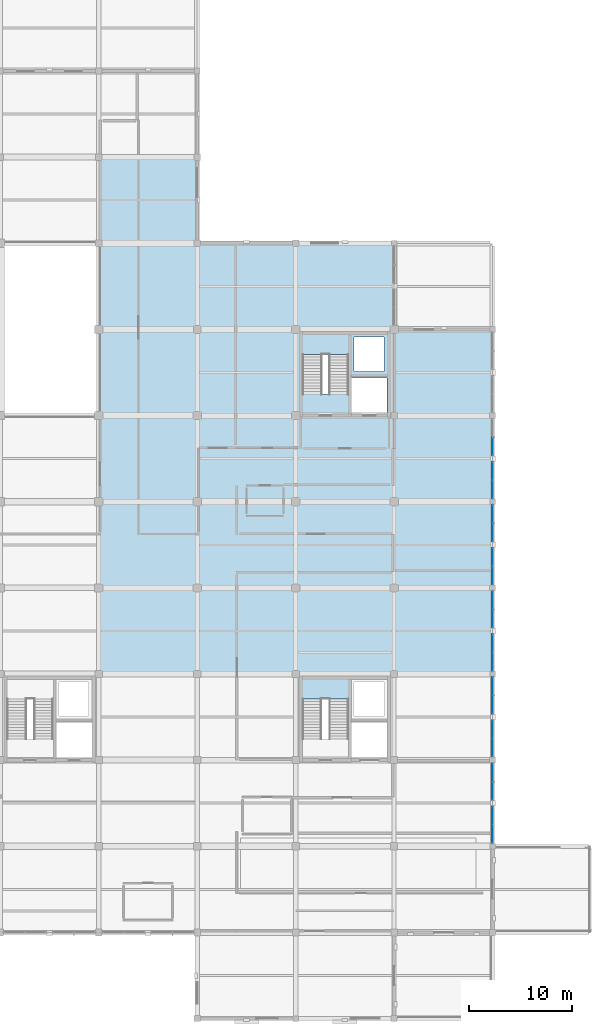
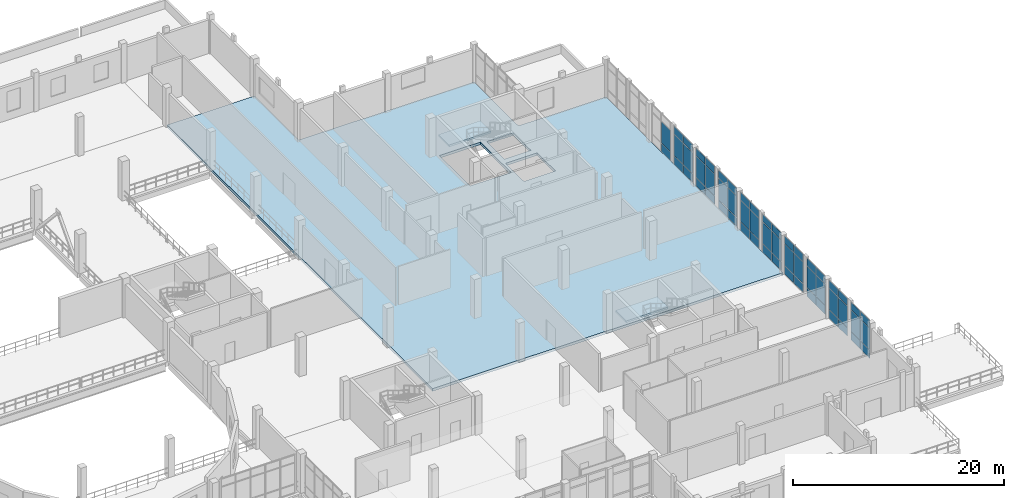
# One storey, part 84 of 102: 56 plates, 3 slabs, 12 elements without a shape of their own.
"""IFC4 building model written with IfcOpenShell, lengths in metres."""

from ifc_helpers import new_model, si_unit, direction, frame, origin, origin_2d, place, context, subcontext, project, spatial, polyline, rectangle, outline, extrude, material, layer, layer_set, type_object, element, aggregate, save


model = new_model("IFC4")

# Units and contexts
model_context = context("Model", 3, precision=1e-05, world=origin(), true_north=direction((0.0, 1.0)))
body_context = subcontext(model_context, "Body", "Model", "MODEL_VIEW")
ifc_project = project(units=[si_unit("LENGTHUNIT", "METRE"), si_unit("AREAUNIT", "SQUARE_METRE"), si_unit("VOLUMEUNIT", "CUBIC_METRE"), si_unit("PLANEANGLEUNIT", "RADIAN"), si_unit("MASSUNIT", "GRAM", prefix="KILO")], contexts=[model_context])

# Site, building, storey
site_placement = place(None, origin())
site = spatial("IfcSite", under=ifc_project, at=site_placement, CompositionType="ELEMENT")
building_placement = place(site_placement, origin())
building = spatial("IfcBuilding", under=site, at=building_placement, Name="Lornevale Opera House", CompositionType="ELEMENT")
storey_placement = place(building_placement, frame((0.0, 0.0, 5.39990234375)))
storey = spatial("IfcBuildingStorey", under=building, at=storey_placement, Name="L02", CompositionType="ELEMENT", Elevation=5.39990234375)

# Slab
ifc_material_1 = material(Name="Concrete 35 MPa (CSA A23.1 N)", Category="concrete")
ifc_layer_1 = layer(ifc_material_1, 0.300048828125)
ifc_layer_set_1 = layer_set([ifc_layer_1], Name="Concrete 35 MPa (CSA A23.1 N)")
slab_type_1 = type_object("IfcSlabType", Name="Parterre Gallery Floor Slab 300", PredefinedType="FLOOR", material=ifc_layer_set_1)
slab_1_placement = place(storey_placement, frame((0.0, 0.0, -0.2998046875)))
element("IfcSlab", 1, at=slab_1_placement, inside=storey, type_object=slab_type_1, Name="Parterre Gallery Floor Slab 300 SL-039", PredefinedType="FLOOR", context=body_context, shape_type="SweptSolid", body=[
    extrude(outline(polyline([(115.199951171875, 58.800048828125), (115.199951171875, 67.199951171875), (115.199951171875, 75.60009765625), (115.199951171875, 84.0), (115.199951171875, 92.39990234375), (124.800048828125, 92.39990234375), (124.800048828125, 84.0), (134.39990234375, 84.0), (144.0, 84.0), (144.0, 75.60009765625), (153.60009765625, 75.60009765625), (153.60009765625, 67.199951171875), (153.60009765625, 58.800048828125), (153.60009765625, 50.39990234375), (153.60009765625, 42.0), (144.0, 42.0), (134.39990234375, 42.0), (124.800048828125, 42.0), (115.199951171875, 42.0), (115.199951171875, 50.39990234375), (115.199951171875, 58.800048828125)]), holes=[polyline([(139.860107421875, 67.3798828125), (143.320068359375, 67.3798828125), (143.320068359375, 70.840087890625), (139.860107421875, 70.840087890625), (139.860107421875, 67.3798828125)]), polyline([(135.06005859375, 69.280029296875), (139.5400390625, 69.280029296875), (139.5400390625, 75.080078125), (135.06005859375, 75.080078125), (135.06005859375, 69.280029296875)]), polyline([(140.10009765625, 71.5), (143.0, 71.5), (143.0, 74.840087890625), (140.10009765625, 74.840087890625), (140.10009765625, 71.5)])]), origin(), (0.0, 0.0, 1.0), 0.2998046875),
])

# Stair, slab
ifc_layer_2 = layer(ifc_material_1, 4.800048828125)
ifc_layer_set_2 = layer_set([ifc_layer_2], Name="Concrete 35 MPa (CSA A23.1 N)")
stair_type_1 = type_object("IfcStairType", Name="Firefighter Core Stair 4800-W1880", PredefinedType="TWO_STRAIGHT_RUN_STAIR", material=ifc_layer_set_2)
stair_1_placement = place(storey_placement, origin())
stair_1 = element("IfcStair", 2, at=stair_1_placement, inside=storey, type_object=stair_type_1, Name="Backstage Firefighter Core East Stair ST-31 (L02-L03)", PredefinedType="TWO_STRAIGHT_RUN_STAIR")
ifc_layer_3 = layer(ifc_material_1, 0.219970703125)
ifc_layer_set_3 = layer_set([ifc_layer_3], Name="Concrete 35 MPa (CSA A23.1 N)")
slab_type_2 = type_object("IfcSlabType", Name="Stair Half-Landing Slab 220", PredefinedType="LANDING", material=ifc_layer_set_3)
slab_2_placement = place(storey_placement, frame((0.0, 0.0, 2.18017578125)))
slab_2 = element("IfcSlab", 3, at=slab_2_placement, type_object=slab_type_2, Name="ST-31 Half-Landing SL-LND-031", PredefinedType="LANDING", context=body_context, shape_type="SweptSolid", body=[
    extrude(outline(polyline([(135.0, 73.159912109375), (139.60009765625, 73.159912109375), (139.60009765625, 75.179931640625), (135.0, 75.179931640625), (135.0, 73.159912109375)])), origin(), (0.0, 0.0, 1.0), 0.219970703125),
])
aggregate(stair_1, [slab_2])

ifc_layer_4 = layer(ifc_material_1, 4.800048828125)
ifc_layer_set_4 = layer_set([ifc_layer_4], Name="Concrete 35 MPa (CSA A23.1 N)")
stair_type_2 = type_object("IfcStairType", Name="Protected Exit Stair 4800-W1840", PredefinedType="TWO_STRAIGHT_RUN_STAIR", material=ifc_layer_set_4)
stair_2_placement = place(storey_placement, origin())
stair_2 = element("IfcStair", 4, at=stair_2_placement, inside=storey, type_object=stair_type_2, Name="Backstage Service Lift Core Stair ST-38 (L02-L03)", PredefinedType="TWO_STRAIGHT_RUN_STAIR")
slab_3_placement = place(storey_placement, frame((0.0, 0.0, 2.18017578125)))
slab_3 = element("IfcSlab", 5, at=slab_3_placement, type_object=slab_type_2, Name="ST-38 Half-Landing SL-LND-038", PredefinedType="LANDING", context=body_context, shape_type="SweptSolid", body=[
    extrude(outline(polyline([(135.0, 39.56005859375), (139.60009765625, 39.56005859375), (139.60009765625, 41.580078125), (135.0, 41.580078125), (135.0, 39.56005859375)])), origin(), (0.0, 0.0, 1.0), 0.219970703125),
])
aggregate(stair_2, [slab_3])

# Curtain wall, plates
ifc_material_2 = material(Name="Anodized Oxide-Green Aluminium Framing", Category="aluminium")
ifc_layer_5 = layer(ifc_material_2, 0.179931640625)
ifc_layer_set_5 = layer_set([ifc_layer_5], Name="Anodized Oxide-Green Aluminium Framing")
curtain_wall_type = type_object("IfcCurtainWallType", Name="Promenade Gallery Curtain Wall M1800", PredefinedType="NOTDEFINED", material=ifc_layer_set_5)
curtain_wall_1_placement = place(storey_placement, origin())
curtain_wall_1 = element("IfcCurtainWall", 6, at=curtain_wall_1_placement, inside=storey, type_object=curtain_wall_type, Name="Promenade Gallery Curtain Wall M1800 CW-080", PredefinedType="NOTDEFINED")
ifc_material_3 = material(Name="Triple Low-E Insulated Glazing", Category="glass")
ifc_layer_6 = layer(ifc_material_3, 0.0380859375)
ifc_layer_set_6 = layer_set([ifc_layer_6], Name="Triple Low-E Insulated Glazing")
plate_type = type_object("IfcPlateType", Name="Triple Low-E Vision Panel 38", PredefinedType="CURTAIN_PANEL", material=ifc_layer_set_6)
plate_1_placement = place(storey_placement, frame((153.60009765625, 32.3818359375, 0.0654296875), z_axis=(0.0, 0.0, 1.0), x_axis=(0.0, -1.0, 0.0)))
plate_1 = element("IfcPlate", 7, at=plate_1_placement, type_object=plate_type, Name="Triple Low-E Vision Panel 38 CW1623", PredefinedType="CURTAIN_PANEL", context=body_context, shape_type="SweptSolid", body=[
    extrude(rectangle(XDim=1.714599609375, YDim=0.0380859375, at=origin_2d()), origin(), (0.0, 0.0, 1.0), 0.952392578125),
])
plate_2_placement = place(storey_placement, frame((153.60009765625, 32.3818359375, 1.08251953125), z_axis=(0.0, 0.0, 1.0), x_axis=(0.0, -1.0, 0.0)))
plate_2 = element("IfcPlate", 8, at=plate_2_placement, type_object=plate_type, Name="Triple Low-E Vision Panel 38 CW1624", PredefinedType="CURTAIN_PANEL", context=body_context, shape_type="SweptSolid", body=[
    extrude(rectangle(XDim=1.714599609375, YDim=0.0380859375, at=origin_2d()), origin(), (0.0, 0.0, 1.0), 2.455078125),
])
plate_3_placement = place(storey_placement, frame((153.60009765625, 32.3818359375, 3.6025390625), z_axis=(0.0, 0.0, 1.0), x_axis=(0.0, -1.0, 0.0)))
plate_3 = element("IfcPlate", 9, at=plate_3_placement, type_object=plate_type, Name="Triple Low-E Vision Panel 38 CW1625", PredefinedType="CURTAIN_PANEL", context=body_context, shape_type="SweptSolid", body=[
    extrude(rectangle(XDim=1.714599609375, YDim=0.0380859375, at=origin_2d()), origin(), (0.0, 0.0, 1.0), 0.8525390625),
])
plate_4_placement = place(storey_placement, frame((153.60009765625, 30.602294921875, 0.0654296875), z_axis=(0.0, 0.0, 1.0), x_axis=(0.0, -1.0, 0.0)))
plate_4 = element("IfcPlate", 10, at=plate_4_placement, type_object=plate_type, Name="Triple Low-E Vision Panel 38 CW1630", PredefinedType="CURTAIN_PANEL", context=body_context, shape_type="SweptSolid", body=[
    extrude(rectangle(XDim=1.714599609375, YDim=0.0380859375, at=origin_2d()), origin(), (0.0, 0.0, 1.0), 0.952392578125),
])
plate_5_placement = place(storey_placement, frame((153.60009765625, 30.602294921875, 1.08251953125), z_axis=(0.0, 0.0, 1.0), x_axis=(0.0, -1.0, 0.0)))
plate_5 = element("IfcPlate", 11, at=plate_5_placement, type_object=plate_type, Name="Triple Low-E Vision Panel 38 CW1631", PredefinedType="CURTAIN_PANEL", context=body_context, shape_type="SweptSolid", body=[
    extrude(rectangle(XDim=1.714599609375, YDim=0.0380859375, at=origin_2d()), origin(), (0.0, 0.0, 1.0), 2.455078125),
])
plate_6_placement = place(storey_placement, frame((153.60009765625, 30.602294921875, 3.6025390625), z_axis=(0.0, 0.0, 1.0), x_axis=(0.0, -1.0, 0.0)))
plate_6 = element("IfcPlate", 12, at=plate_6_placement, type_object=plate_type, Name="Triple Low-E Vision Panel 38 CW1632", PredefinedType="CURTAIN_PANEL", context=body_context, shape_type="SweptSolid", body=[
    extrude(rectangle(XDim=1.714599609375, YDim=0.0380859375, at=origin_2d()), origin(), (0.0, 0.0, 1.0), 0.8525390625),
])
aggregate(curtain_wall_1, [plate_1, plate_2, plate_3, plate_4, plate_5, plate_6])

curtain_wall_2_placement = place(storey_placement, origin())
curtain_wall_2 = element("IfcCurtainWall", 13, at=curtain_wall_2_placement, inside=storey, type_object=curtain_wall_type, Name="Promenade Gallery Curtain Wall M1800 CW-081", PredefinedType="NOTDEFINED")
plate_7_placement = place(storey_placement, frame((153.60009765625, 28.19140625, 0.0654296875), z_axis=(0.0, 0.0, 1.0), x_axis=(0.0, -1.0, 0.0)))
plate_7 = element("IfcPlate", 14, at=plate_7_placement, type_object=plate_type, Name="Triple Low-E Vision Panel 38 CW1640", PredefinedType="CURTAIN_PANEL", context=body_context, shape_type="SweptSolid", body=[
    extrude(rectangle(XDim=1.72705078125, YDim=0.0380859375, at=origin_2d()), origin(), (0.0, 0.0, 1.0), 0.952392578125),
])
plate_8_placement = place(storey_placement, frame((153.60009765625, 28.19140625, 1.08251953125), z_axis=(0.0, 0.0, 1.0), x_axis=(0.0, -1.0, 0.0)))
plate_8 = element("IfcPlate", 15, at=plate_8_placement, type_object=plate_type, Name="Triple Low-E Vision Panel 38 CW1641", PredefinedType="CURTAIN_PANEL", context=body_context, shape_type="SweptSolid", body=[
    extrude(rectangle(XDim=1.72705078125, YDim=0.0380859375, at=origin_2d()), origin(), (0.0, 0.0, 1.0), 2.455078125),
])
plate_9_placement = place(storey_placement, frame((153.60009765625, 28.19140625, 3.6025390625), z_axis=(0.0, 0.0, 1.0), x_axis=(0.0, -1.0, 0.0)))
plate_9 = element("IfcPlate", 16, at=plate_9_placement, type_object=plate_type, Name="Triple Low-E Vision Panel 38 CW1642", PredefinedType="CURTAIN_PANEL", context=body_context, shape_type="SweptSolid", body=[
    extrude(rectangle(XDim=1.72705078125, YDim=0.0380859375, at=origin_2d()), origin(), (0.0, 0.0, 1.0), 0.8525390625),
])
plate_10_placement = place(storey_placement, frame((153.60009765625, 26.3994140625, 0.0654296875), z_axis=(0.0, 0.0, 1.0), x_axis=(0.0, -1.0, 0.0)))
plate_10 = element("IfcPlate", 17, at=plate_10_placement, type_object=plate_type, Name="Triple Low-E Vision Panel 38 CW1647", PredefinedType="CURTAIN_PANEL", context=body_context, shape_type="SweptSolid", body=[
    extrude(rectangle(XDim=1.72705078125, YDim=0.0380859375, at=origin_2d()), origin(), (0.0, 0.0, 1.0), 0.952392578125),
])
plate_11_placement = place(storey_placement, frame((153.60009765625, 26.3994140625, 1.08251953125), z_axis=(0.0, 0.0, 1.0), x_axis=(0.0, -1.0, 0.0)))
plate_11 = element("IfcPlate", 18, at=plate_11_placement, type_object=plate_type, Name="Triple Low-E Vision Panel 38 CW1648", PredefinedType="CURTAIN_PANEL", context=body_context, shape_type="SweptSolid", body=[
    extrude(rectangle(XDim=1.72705078125, YDim=0.0380859375, at=origin_2d()), origin(), (0.0, 0.0, 1.0), 2.455078125),
])
plate_12_placement = place(storey_placement, frame((153.60009765625, 26.3994140625, 3.6025390625), z_axis=(0.0, 0.0, 1.0), x_axis=(0.0, -1.0, 0.0)))
plate_12 = element("IfcPlate", 19, at=plate_12_placement, type_object=plate_type, Name="Triple Low-E Vision Panel 38 CW1649", PredefinedType="CURTAIN_PANEL", context=body_context, shape_type="SweptSolid", body=[
    extrude(rectangle(XDim=1.72705078125, YDim=0.0380859375, at=origin_2d()), origin(), (0.0, 0.0, 1.0), 0.8525390625),
])
aggregate(curtain_wall_2, [plate_7, plate_8, plate_9, plate_10, plate_11, plate_12])

curtain_wall_3_placement = place(storey_placement, origin())
curtain_wall_3 = element("IfcCurtainWall", 20, at=curtain_wall_3_placement, inside=storey, type_object=curtain_wall_type, Name="Promenade Gallery Curtain Wall M1800 CW-082", PredefinedType="NOTDEFINED")
plate_13_placement = place(storey_placement, frame((153.60009765625, 40.800537109375, 0.0654296875), z_axis=(0.0, 0.0, 1.0), x_axis=(0.0, -1.0, 0.0)))
plate_13 = element("IfcPlate", 21, at=plate_13_placement, type_object=plate_type, Name="Triple Low-E Vision Panel 38 CW1657", PredefinedType="CURTAIN_PANEL", context=body_context, shape_type="SweptSolid", body=[
    extrude(rectangle(XDim=1.72705078125, YDim=0.0380859375, at=origin_2d()), origin(), (0.0, 0.0, 1.0), 0.952392578125),
])
plate_14_placement = place(storey_placement, frame((153.60009765625, 40.800537109375, 1.08251953125), z_axis=(0.0, 0.0, 1.0), x_axis=(0.0, -1.0, 0.0)))
plate_14 = element("IfcPlate", 22, at=plate_14_placement, type_object=plate_type, Name="Triple Low-E Vision Panel 38 CW1658", PredefinedType="CURTAIN_PANEL", context=body_context, shape_type="SweptSolid", body=[
    extrude(rectangle(XDim=1.72705078125, YDim=0.0380859375, at=origin_2d()), origin(), (0.0, 0.0, 1.0), 2.455078125),
])
plate_15_placement = place(storey_placement, frame((153.60009765625, 40.800537109375, 3.6025390625), z_axis=(0.0, 0.0, 1.0), x_axis=(0.0, -1.0, 0.0)))
plate_15 = element("IfcPlate", 23, at=plate_15_placement, type_object=plate_type, Name="Triple Low-E Vision Panel 38 CW1659", PredefinedType="CURTAIN_PANEL", context=body_context, shape_type="SweptSolid", body=[
    extrude(rectangle(XDim=1.72705078125, YDim=0.0380859375, at=origin_2d()), origin(), (0.0, 0.0, 1.0), 0.8525390625),
])
plate_16_placement = place(storey_placement, frame((153.60009765625, 39.008544921875, 0.0654296875), z_axis=(0.0, 0.0, 1.0), x_axis=(0.0, -1.0, 0.0)))
plate_16 = element("IfcPlate", 24, at=plate_16_placement, type_object=plate_type, Name="Triple Low-E Vision Panel 38 CW1664", PredefinedType="CURTAIN_PANEL", context=body_context, shape_type="SweptSolid", body=[
    extrude(rectangle(XDim=1.72705078125, YDim=0.0380859375, at=origin_2d()), origin(), (0.0, 0.0, 1.0), 0.952392578125),
])
plate_17_placement = place(storey_placement, frame((153.60009765625, 39.008544921875, 1.08251953125), z_axis=(0.0, 0.0, 1.0), x_axis=(0.0, -1.0, 0.0)))
plate_17 = element("IfcPlate", 25, at=plate_17_placement, type_object=plate_type, Name="Triple Low-E Vision Panel 38 CW1665", PredefinedType="CURTAIN_PANEL", context=body_context, shape_type="SweptSolid", body=[
    extrude(rectangle(XDim=1.72705078125, YDim=0.0380859375, at=origin_2d()), origin(), (0.0, 0.0, 1.0), 2.455078125),
])
plate_18_placement = place(storey_placement, frame((153.60009765625, 39.008544921875, 3.6025390625), z_axis=(0.0, 0.0, 1.0), x_axis=(0.0, -1.0, 0.0)))
plate_18 = element("IfcPlate", 26, at=plate_18_placement, type_object=plate_type, Name="Triple Low-E Vision Panel 38 CW1666", PredefinedType="CURTAIN_PANEL", context=body_context, shape_type="SweptSolid", body=[
    extrude(rectangle(XDim=1.72705078125, YDim=0.0380859375, at=origin_2d()), origin(), (0.0, 0.0, 1.0), 0.8525390625),
])
aggregate(curtain_wall_3, [plate_13, plate_14, plate_15, plate_16, plate_17, plate_18])

curtain_wall_4_placement = place(storey_placement, origin())
curtain_wall_4 = element("IfcCurtainWall", 27, at=curtain_wall_4_placement, inside=storey, type_object=curtain_wall_type, Name="Promenade Gallery Curtain Wall M1800 CW-083", PredefinedType="NOTDEFINED")
plate_19_placement = place(storey_placement, frame((153.60009765625, 36.597900390625, 0.0654296875), z_axis=(0.0, 0.0, 1.0), x_axis=(0.0, -1.0, 0.0)))
plate_19 = element("IfcPlate", 28, at=plate_19_placement, type_object=plate_type, Name="Triple Low-E Vision Panel 38 CW1674", PredefinedType="CURTAIN_PANEL", context=body_context, shape_type="SweptSolid", body=[
    extrude(rectangle(XDim=1.714599609375, YDim=0.0380859375, at=origin_2d()), origin(), (0.0, 0.0, 1.0), 0.952392578125),
])
plate_20_placement = place(storey_placement, frame((153.60009765625, 36.597900390625, 1.08251953125), z_axis=(0.0, 0.0, 1.0), x_axis=(0.0, -1.0, 0.0)))
plate_20 = element("IfcPlate", 29, at=plate_20_placement, type_object=plate_type, Name="Triple Low-E Vision Panel 38 CW1675", PredefinedType="CURTAIN_PANEL", context=body_context, shape_type="SweptSolid", body=[
    extrude(rectangle(XDim=1.714599609375, YDim=0.0380859375, at=origin_2d()), origin(), (0.0, 0.0, 1.0), 2.455078125),
])
plate_21_placement = place(storey_placement, frame((153.60009765625, 36.597900390625, 3.6025390625), z_axis=(0.0, 0.0, 1.0), x_axis=(0.0, -1.0, 0.0)))
plate_21 = element("IfcPlate", 30, at=plate_21_placement, type_object=plate_type, Name="Triple Low-E Vision Panel 38 CW1676", PredefinedType="CURTAIN_PANEL", context=body_context, shape_type="SweptSolid", body=[
    extrude(rectangle(XDim=1.714599609375, YDim=0.0380859375, at=origin_2d()), origin(), (0.0, 0.0, 1.0), 0.8525390625),
])
plate_22_placement = place(storey_placement, frame((153.60009765625, 34.818115234375, 0.0654296875), z_axis=(0.0, 0.0, 1.0), x_axis=(0.0, -1.0, 0.0)))
plate_22 = element("IfcPlate", 31, at=plate_22_placement, type_object=plate_type, Name="Triple Low-E Vision Panel 38 CW1681", PredefinedType="CURTAIN_PANEL", context=body_context, shape_type="SweptSolid", body=[
    extrude(rectangle(XDim=1.714599609375, YDim=0.0380859375, at=origin_2d()), origin(), (0.0, 0.0, 1.0), 0.952392578125),
])
plate_23_placement = place(storey_placement, frame((153.60009765625, 34.818115234375, 1.08251953125), z_axis=(0.0, 0.0, 1.0), x_axis=(0.0, -1.0, 0.0)))
plate_23 = element("IfcPlate", 32, at=plate_23_placement, type_object=plate_type, Name="Triple Low-E Vision Panel 38 CW1682", PredefinedType="CURTAIN_PANEL", context=body_context, shape_type="SweptSolid", body=[
    extrude(rectangle(XDim=1.714599609375, YDim=0.0380859375, at=origin_2d()), origin(), (0.0, 0.0, 1.0), 2.455078125),
])
plate_24_placement = place(storey_placement, frame((153.60009765625, 34.818115234375, 3.6025390625), z_axis=(0.0, 0.0, 1.0), x_axis=(0.0, -1.0, 0.0)))
plate_24 = element("IfcPlate", 33, at=plate_24_placement, type_object=plate_type, Name="Triple Low-E Vision Panel 38 CW1683", PredefinedType="CURTAIN_PANEL", context=body_context, shape_type="SweptSolid", body=[
    extrude(rectangle(XDim=1.714599609375, YDim=0.0380859375, at=origin_2d()), origin(), (0.0, 0.0, 1.0), 0.8525390625),
])
aggregate(curtain_wall_4, [plate_19, plate_20, plate_21, plate_22, plate_23, plate_24])

curtain_wall_5_placement = place(storey_placement, origin())
curtain_wall_5 = element("IfcCurtainWall", 34, at=curtain_wall_5_placement, inside=storey, type_object=curtain_wall_type, Name="Promenade Gallery Curtain Wall M1800 CW-084", PredefinedType="NOTDEFINED")
plate_25_placement = place(storey_placement, frame((153.60009765625, 49.181884765625, 0.0654296875), z_axis=(0.0, 0.0, 1.0), x_axis=(0.0, -1.0, 0.0)))
plate_25 = element("IfcPlate", 35, at=plate_25_placement, type_object=plate_type, Name="Triple Low-E Vision Panel 38 CW1691", PredefinedType="CURTAIN_PANEL", context=body_context, shape_type="SweptSolid", body=[
    extrude(rectangle(XDim=1.714599609375, YDim=0.0380859375, at=origin_2d()), origin(), (0.0, 0.0, 1.0), 0.952392578125),
])
plate_26_placement = place(storey_placement, frame((153.60009765625, 49.181884765625, 1.08251953125), z_axis=(0.0, 0.0, 1.0), x_axis=(0.0, -1.0, 0.0)))
plate_26 = element("IfcPlate", 36, at=plate_26_placement, type_object=plate_type, Name="Triple Low-E Vision Panel 38 CW1692", PredefinedType="CURTAIN_PANEL", context=body_context, shape_type="SweptSolid", body=[
    extrude(rectangle(XDim=1.714599609375, YDim=0.0380859375, at=origin_2d()), origin(), (0.0, 0.0, 1.0), 2.455078125),
])
plate_27_placement = place(storey_placement, frame((153.60009765625, 49.181884765625, 3.6025390625), z_axis=(0.0, 0.0, 1.0), x_axis=(0.0, -1.0, 0.0)))
plate_27 = element("IfcPlate", 37, at=plate_27_placement, type_object=plate_type, Name="Triple Low-E Vision Panel 38 CW1693", PredefinedType="CURTAIN_PANEL", context=body_context, shape_type="SweptSolid", body=[
    extrude(rectangle(XDim=1.714599609375, YDim=0.0380859375, at=origin_2d()), origin(), (0.0, 0.0, 1.0), 0.8525390625),
])
plate_28_placement = place(storey_placement, frame((153.60009765625, 47.402099609375, 0.0654296875), z_axis=(0.0, 0.0, 1.0), x_axis=(0.0, -1.0, 0.0)))
plate_28 = element("IfcPlate", 38, at=plate_28_placement, type_object=plate_type, Name="Triple Low-E Vision Panel 38 CW1698", PredefinedType="CURTAIN_PANEL", context=body_context, shape_type="SweptSolid", body=[
    extrude(rectangle(XDim=1.714599609375, YDim=0.0380859375, at=origin_2d()), origin(), (0.0, 0.0, 1.0), 0.952392578125),
])
plate_29_placement = place(storey_placement, frame((153.60009765625, 47.402099609375, 1.08251953125), z_axis=(0.0, 0.0, 1.0), x_axis=(0.0, -1.0, 0.0)))
plate_29 = element("IfcPlate", 39, at=plate_29_placement, type_object=plate_type, Name="Triple Low-E Vision Panel 38 CW1699", PredefinedType="CURTAIN_PANEL", context=body_context, shape_type="SweptSolid", body=[
    extrude(rectangle(XDim=1.714599609375, YDim=0.0380859375, at=origin_2d()), origin(), (0.0, 0.0, 1.0), 2.455078125),
])
plate_30_placement = place(storey_placement, frame((153.60009765625, 47.402099609375, 3.6025390625), z_axis=(0.0, 0.0, 1.0), x_axis=(0.0, -1.0, 0.0)))
plate_30 = element("IfcPlate", 40, at=plate_30_placement, type_object=plate_type, Name="Triple Low-E Vision Panel 38 CW1700", PredefinedType="CURTAIN_PANEL", context=body_context, shape_type="SweptSolid", body=[
    extrude(rectangle(XDim=1.714599609375, YDim=0.0380859375, at=origin_2d()), origin(), (0.0, 0.0, 1.0), 0.8525390625),
])
aggregate(curtain_wall_5, [plate_25, plate_26, plate_27, plate_28, plate_29, plate_30])

curtain_wall_6_placement = place(storey_placement, origin())
curtain_wall_6 = element("IfcCurtainWall", 41, at=curtain_wall_6_placement, inside=storey, type_object=curtain_wall_type, Name="Promenade Gallery Curtain Wall M1800 CW-085", PredefinedType="NOTDEFINED")
plate_31_placement = place(storey_placement, frame((153.60009765625, 44.991455078125, 0.0654296875), z_axis=(0.0, 0.0, 1.0), x_axis=(0.0, -1.0, 0.0)))
plate_31 = element("IfcPlate", 42, at=plate_31_placement, type_object=plate_type, Name="Triple Low-E Vision Panel 38 CW1708", PredefinedType="CURTAIN_PANEL", context=body_context, shape_type="SweptSolid", body=[
    extrude(rectangle(XDim=1.72705078125, YDim=0.0380859375, at=origin_2d()), origin(), (0.0, 0.0, 1.0), 0.952392578125),
])
plate_32_placement = place(storey_placement, frame((153.60009765625, 44.991455078125, 1.08251953125), z_axis=(0.0, 0.0, 1.0), x_axis=(0.0, -1.0, 0.0)))
plate_32 = element("IfcPlate", 43, at=plate_32_placement, type_object=plate_type, Name="Triple Low-E Vision Panel 38 CW1709", PredefinedType="CURTAIN_PANEL", context=body_context, shape_type="SweptSolid", body=[
    extrude(rectangle(XDim=1.72705078125, YDim=0.0380859375, at=origin_2d()), origin(), (0.0, 0.0, 1.0), 2.455078125),
])
plate_33_placement = place(storey_placement, frame((153.60009765625, 44.991455078125, 3.6025390625), z_axis=(0.0, 0.0, 1.0), x_axis=(0.0, -1.0, 0.0)))
plate_33 = element("IfcPlate", 44, at=plate_33_placement, type_object=plate_type, Name="Triple Low-E Vision Panel 38 CW1710", PredefinedType="CURTAIN_PANEL", context=body_context, shape_type="SweptSolid", body=[
    extrude(rectangle(XDim=1.72705078125, YDim=0.0380859375, at=origin_2d()), origin(), (0.0, 0.0, 1.0), 0.8525390625),
])
plate_34_placement = place(storey_placement, frame((153.60009765625, 43.199462890625, 0.0654296875), z_axis=(0.0, 0.0, 1.0), x_axis=(0.0, -1.0, 0.0)))
plate_34 = element("IfcPlate", 45, at=plate_34_placement, type_object=plate_type, Name="Triple Low-E Vision Panel 38 CW1715", PredefinedType="CURTAIN_PANEL", context=body_context, shape_type="SweptSolid", body=[
    extrude(rectangle(XDim=1.72705078125, YDim=0.0380859375, at=origin_2d()), origin(), (0.0, 0.0, 1.0), 0.952392578125),
])
plate_35_placement = place(storey_placement, frame((153.60009765625, 43.199462890625, 1.08251953125), z_axis=(0.0, 0.0, 1.0), x_axis=(0.0, -1.0, 0.0)))
plate_35 = element("IfcPlate", 46, at=plate_35_placement, type_object=plate_type, Name="Triple Low-E Vision Panel 38 CW1716", PredefinedType="CURTAIN_PANEL", context=body_context, shape_type="SweptSolid", body=[
    extrude(rectangle(XDim=1.72705078125, YDim=0.0380859375, at=origin_2d()), origin(), (0.0, 0.0, 1.0), 2.455078125),
])
plate_36_placement = place(storey_placement, frame((153.60009765625, 43.199462890625, 3.6025390625), z_axis=(0.0, 0.0, 1.0), x_axis=(0.0, -1.0, 0.0)))
plate_36 = element("IfcPlate", 47, at=plate_36_placement, type_object=plate_type, Name="Triple Low-E Vision Panel 38 CW1717", PredefinedType="CURTAIN_PANEL", context=body_context, shape_type="SweptSolid", body=[
    extrude(rectangle(XDim=1.72705078125, YDim=0.0380859375, at=origin_2d()), origin(), (0.0, 0.0, 1.0), 0.8525390625),
])
aggregate(curtain_wall_6, [plate_31, plate_32, plate_33, plate_34, plate_35, plate_36])

curtain_wall_7_placement = place(storey_placement, origin())
curtain_wall_7 = element("IfcCurtainWall", 48, at=curtain_wall_7_placement, inside=storey, type_object=curtain_wall_type, Name="Promenade Gallery Curtain Wall M1800 CW-086", PredefinedType="NOTDEFINED")
plate_37_placement = place(storey_placement, frame((153.60009765625, 57.6005859375, 0.0654296875), z_axis=(0.0, 0.0, 1.0), x_axis=(0.0, -1.0, 0.0)))
plate_37 = element("IfcPlate", 49, at=plate_37_placement, type_object=plate_type, Name="Triple Low-E Vision Panel 38 CW1725", PredefinedType="CURTAIN_PANEL", context=body_context, shape_type="SweptSolid", body=[
    extrude(rectangle(XDim=1.72705078125, YDim=0.0380859375, at=origin_2d()), origin(), (0.0, 0.0, 1.0), 0.952392578125),
])
plate_38_placement = place(storey_placement, frame((153.60009765625, 57.6005859375, 1.08251953125), z_axis=(0.0, 0.0, 1.0), x_axis=(0.0, -1.0, 0.0)))
plate_38 = element("IfcPlate", 50, at=plate_38_placement, type_object=plate_type, Name="Triple Low-E Vision Panel 38 CW1726", PredefinedType="CURTAIN_PANEL", context=body_context, shape_type="SweptSolid", body=[
    extrude(rectangle(XDim=1.72705078125, YDim=0.0380859375, at=origin_2d()), origin(), (0.0, 0.0, 1.0), 2.455078125),
])
plate_39_placement = place(storey_placement, frame((153.60009765625, 57.6005859375, 3.6025390625), z_axis=(0.0, 0.0, 1.0), x_axis=(0.0, -1.0, 0.0)))
plate_39 = element("IfcPlate", 51, at=plate_39_placement, type_object=plate_type, Name="Triple Low-E Vision Panel 38 CW1727", PredefinedType="CURTAIN_PANEL", context=body_context, shape_type="SweptSolid", body=[
    extrude(rectangle(XDim=1.72705078125, YDim=0.0380859375, at=origin_2d()), origin(), (0.0, 0.0, 1.0), 0.8525390625),
])
plate_40_placement = place(storey_placement, frame((153.60009765625, 55.80859375, 0.0654296875), z_axis=(0.0, 0.0, 1.0), x_axis=(0.0, -1.0, 0.0)))
plate_40 = element("IfcPlate", 52, at=plate_40_placement, type_object=plate_type, Name="Triple Low-E Vision Panel 38 CW1732", PredefinedType="CURTAIN_PANEL", context=body_context, shape_type="SweptSolid", body=[
    extrude(rectangle(XDim=1.72705078125, YDim=0.0380859375, at=origin_2d()), origin(), (0.0, 0.0, 1.0), 0.952392578125),
])
plate_41_placement = place(storey_placement, frame((153.60009765625, 55.80859375, 1.08251953125), z_axis=(0.0, 0.0, 1.0), x_axis=(0.0, -1.0, 0.0)))
plate_41 = element("IfcPlate", 53, at=plate_41_placement, type_object=plate_type, Name="Triple Low-E Vision Panel 38 CW1733", PredefinedType="CURTAIN_PANEL", context=body_context, shape_type="SweptSolid", body=[
    extrude(rectangle(XDim=1.72705078125, YDim=0.0380859375, at=origin_2d()), origin(), (0.0, 0.0, 1.0), 2.455078125),
])
plate_42_placement = place(storey_placement, frame((153.60009765625, 55.80859375, 3.6025390625), z_axis=(0.0, 0.0, 1.0), x_axis=(0.0, -1.0, 0.0)))
plate_42 = element("IfcPlate", 54, at=plate_42_placement, type_object=plate_type, Name="Triple Low-E Vision Panel 38 CW1734", PredefinedType="CURTAIN_PANEL", context=body_context, shape_type="SweptSolid", body=[
    extrude(rectangle(XDim=1.72705078125, YDim=0.0380859375, at=origin_2d()), origin(), (0.0, 0.0, 1.0), 0.8525390625),
])
aggregate(curtain_wall_7, [plate_37, plate_38, plate_39, plate_40, plate_41, plate_42])

curtain_wall_8_placement = place(storey_placement, origin())
curtain_wall_8 = element("IfcCurtainWall", 55, at=curtain_wall_8_placement, inside=storey, type_object=curtain_wall_type, Name="Promenade Gallery Curtain Wall M1800 CW-087", PredefinedType="NOTDEFINED")
plate_43_placement = place(storey_placement, frame((153.60009765625, 53.397705078125, 0.0654296875), z_axis=(0.0, 0.0, 1.0), x_axis=(0.0, -1.0, 0.0)))
plate_43 = element("IfcPlate", 56, at=plate_43_placement, type_object=plate_type, Name="Triple Low-E Vision Panel 38 CW1742", PredefinedType="CURTAIN_PANEL", context=body_context, shape_type="SweptSolid", body=[
    extrude(rectangle(XDim=1.714599609375, YDim=0.0380859375, at=origin_2d()), origin(), (0.0, 0.0, 1.0), 0.952392578125),
])
plate_44_placement = place(storey_placement, frame((153.60009765625, 53.397705078125, 1.08251953125), z_axis=(0.0, 0.0, 1.0), x_axis=(0.0, -1.0, 0.0)))
plate_44 = element("IfcPlate", 57, at=plate_44_placement, type_object=plate_type, Name="Triple Low-E Vision Panel 38 CW1743", PredefinedType="CURTAIN_PANEL", context=body_context, shape_type="SweptSolid", body=[
    extrude(rectangle(XDim=1.714599609375, YDim=0.0380859375, at=origin_2d()), origin(), (0.0, 0.0, 1.0), 2.455078125),
])
plate_45_placement = place(storey_placement, frame((153.60009765625, 53.397705078125, 3.6025390625), z_axis=(0.0, 0.0, 1.0), x_axis=(0.0, -1.0, 0.0)))
plate_45 = element("IfcPlate", 58, at=plate_45_placement, type_object=plate_type, Name="Triple Low-E Vision Panel 38 CW1744", PredefinedType="CURTAIN_PANEL", context=body_context, shape_type="SweptSolid", body=[
    extrude(rectangle(XDim=1.714599609375, YDim=0.0380859375, at=origin_2d()), origin(), (0.0, 0.0, 1.0), 0.8525390625),
])
plate_46_placement = place(storey_placement, frame((153.60009765625, 51.6181640625, 0.0654296875), z_axis=(0.0, 0.0, 1.0), x_axis=(0.0, -1.0, 0.0)))
plate_46 = element("IfcPlate", 59, at=plate_46_placement, type_object=plate_type, Name="Triple Low-E Vision Panel 38 CW1749", PredefinedType="CURTAIN_PANEL", context=body_context, shape_type="SweptSolid", body=[
    extrude(rectangle(XDim=1.714599609375, YDim=0.0380859375, at=origin_2d()), origin(), (0.0, 0.0, 1.0), 0.952392578125),
])
plate_47_placement = place(storey_placement, frame((153.60009765625, 51.6181640625, 1.08251953125), z_axis=(0.0, 0.0, 1.0), x_axis=(0.0, -1.0, 0.0)))
plate_47 = element("IfcPlate", 60, at=plate_47_placement, type_object=plate_type, Name="Triple Low-E Vision Panel 38 CW1750", PredefinedType="CURTAIN_PANEL", context=body_context, shape_type="SweptSolid", body=[
    extrude(rectangle(XDim=1.714599609375, YDim=0.0380859375, at=origin_2d()), origin(), (0.0, 0.0, 1.0), 2.455078125),
])
plate_48_placement = place(storey_placement, frame((153.60009765625, 51.6181640625, 3.6025390625), z_axis=(0.0, 0.0, 1.0), x_axis=(0.0, -1.0, 0.0)))
plate_48 = element("IfcPlate", 61, at=plate_48_placement, type_object=plate_type, Name="Triple Low-E Vision Panel 38 CW1751", PredefinedType="CURTAIN_PANEL", context=body_context, shape_type="SweptSolid", body=[
    extrude(rectangle(XDim=1.714599609375, YDim=0.0380859375, at=origin_2d()), origin(), (0.0, 0.0, 1.0), 0.8525390625),
])
aggregate(curtain_wall_8, [plate_43, plate_44, plate_45, plate_46, plate_47, plate_48])

curtain_wall_9_placement = place(storey_placement, origin())
curtain_wall_9 = element("IfcCurtainWall", 62, at=curtain_wall_9_placement, inside=storey, type_object=curtain_wall_type, Name="Promenade Gallery Curtain Wall M1800 CW-088", PredefinedType="NOTDEFINED")
plate_49_placement = place(storey_placement, frame((153.60009765625, 64.202392578125, 0.0654296875), z_axis=(0.0, 0.0, 1.0), x_axis=(0.0, -1.0, 0.0)))
plate_49 = element("IfcPlate", 63, at=plate_49_placement, type_object=plate_type, Name="Triple Low-E Vision Panel 38 CW1766", PredefinedType="CURTAIN_PANEL", context=body_context, shape_type="SweptSolid", body=[
    extrude(rectangle(XDim=1.714599609375, YDim=0.0380859375, at=origin_2d()), origin(), (0.0, 0.0, 1.0), 0.952392578125),
])
plate_50_placement = place(storey_placement, frame((153.60009765625, 64.202392578125, 1.08251953125), z_axis=(0.0, 0.0, 1.0), x_axis=(0.0, -1.0, 0.0)))
plate_50 = element("IfcPlate", 64, at=plate_50_placement, type_object=plate_type, Name="Triple Low-E Vision Panel 38 CW1767", PredefinedType="CURTAIN_PANEL", context=body_context, shape_type="SweptSolid", body=[
    extrude(rectangle(XDim=1.714599609375, YDim=0.0380859375, at=origin_2d()), origin(), (0.0, 0.0, 1.0), 2.455078125),
])
aggregate(curtain_wall_9, [plate_49, plate_50])

curtain_wall_10_placement = place(storey_placement, origin())
curtain_wall_10 = element("IfcCurtainWall", 65, at=curtain_wall_10_placement, inside=storey, type_object=curtain_wall_type, Name="Promenade Gallery Curtain Wall M1800 CW-089", PredefinedType="NOTDEFINED")
plate_51_placement = place(storey_placement, frame((153.60009765625, 61.79150390625, 0.0654296875), z_axis=(0.0, 0.0, 1.0), x_axis=(0.0, -1.0, 0.0)))
plate_51 = element("IfcPlate", 66, at=plate_51_placement, type_object=plate_type, Name="Triple Low-E Vision Panel 38 CW1776", PredefinedType="CURTAIN_PANEL", context=body_context, shape_type="SweptSolid", body=[
    extrude(rectangle(XDim=1.72705078125, YDim=0.0380859375, at=origin_2d()), origin(), (0.0, 0.0, 1.0), 0.952392578125),
])
plate_52_placement = place(storey_placement, frame((153.60009765625, 61.79150390625, 1.08251953125), z_axis=(0.0, 0.0, 1.0), x_axis=(0.0, -1.0, 0.0)))
plate_52 = element("IfcPlate", 67, at=plate_52_placement, type_object=plate_type, Name="Triple Low-E Vision Panel 38 CW1777", PredefinedType="CURTAIN_PANEL", context=body_context, shape_type="SweptSolid", body=[
    extrude(rectangle(XDim=1.72705078125, YDim=0.0380859375, at=origin_2d()), origin(), (0.0, 0.0, 1.0), 2.455078125),
])
plate_53_placement = place(storey_placement, frame((153.60009765625, 61.79150390625, 3.6025390625), z_axis=(0.0, 0.0, 1.0), x_axis=(0.0, -1.0, 0.0)))
plate_53 = element("IfcPlate", 68, at=plate_53_placement, type_object=plate_type, Name="Triple Low-E Vision Panel 38 CW1778", PredefinedType="CURTAIN_PANEL", context=body_context, shape_type="SweptSolid", body=[
    extrude(rectangle(XDim=1.72705078125, YDim=0.0380859375, at=origin_2d()), origin(), (0.0, 0.0, 1.0), 0.8525390625),
])
plate_54_placement = place(storey_placement, frame((153.60009765625, 59.99951171875, 0.0654296875), z_axis=(0.0, 0.0, 1.0), x_axis=(0.0, -1.0, 0.0)))
plate_54 = element("IfcPlate", 69, at=plate_54_placement, type_object=plate_type, Name="Triple Low-E Vision Panel 38 CW1783", PredefinedType="CURTAIN_PANEL", context=body_context, shape_type="SweptSolid", body=[
    extrude(rectangle(XDim=1.72705078125, YDim=0.0380859375, at=origin_2d()), origin(), (0.0, 0.0, 1.0), 0.952392578125),
])
plate_55_placement = place(storey_placement, frame((153.60009765625, 59.99951171875, 1.08251953125), z_axis=(0.0, 0.0, 1.0), x_axis=(0.0, -1.0, 0.0)))
plate_55 = element("IfcPlate", 70, at=plate_55_placement, type_object=plate_type, Name="Triple Low-E Vision Panel 38 CW1784", PredefinedType="CURTAIN_PANEL", context=body_context, shape_type="SweptSolid", body=[
    extrude(rectangle(XDim=1.72705078125, YDim=0.0380859375, at=origin_2d()), origin(), (0.0, 0.0, 1.0), 2.455078125),
])
plate_56_placement = place(storey_placement, frame((153.60009765625, 59.99951171875, 3.6025390625), z_axis=(0.0, 0.0, 1.0), x_axis=(0.0, -1.0, 0.0)))
plate_56 = element("IfcPlate", 71, at=plate_56_placement, type_object=plate_type, Name="Triple Low-E Vision Panel 38 CW1785", PredefinedType="CURTAIN_PANEL", context=body_context, shape_type="SweptSolid", body=[
    extrude(rectangle(XDim=1.72705078125, YDim=0.0380859375, at=origin_2d()), origin(), (0.0, 0.0, 1.0), 0.8525390625),
])
aggregate(curtain_wall_10, [plate_51, plate_52, plate_53, plate_54, plate_55, plate_56])

save(model, "model.ifc")
